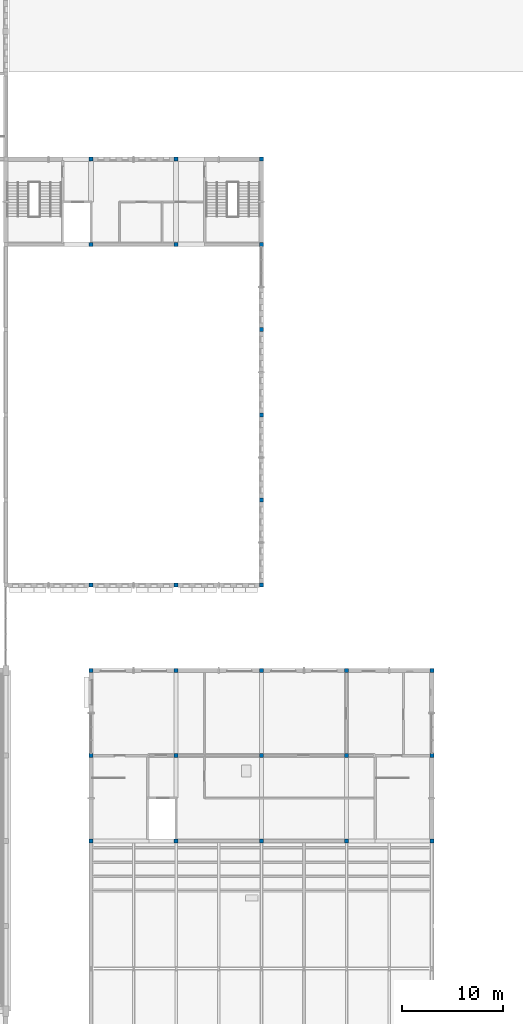
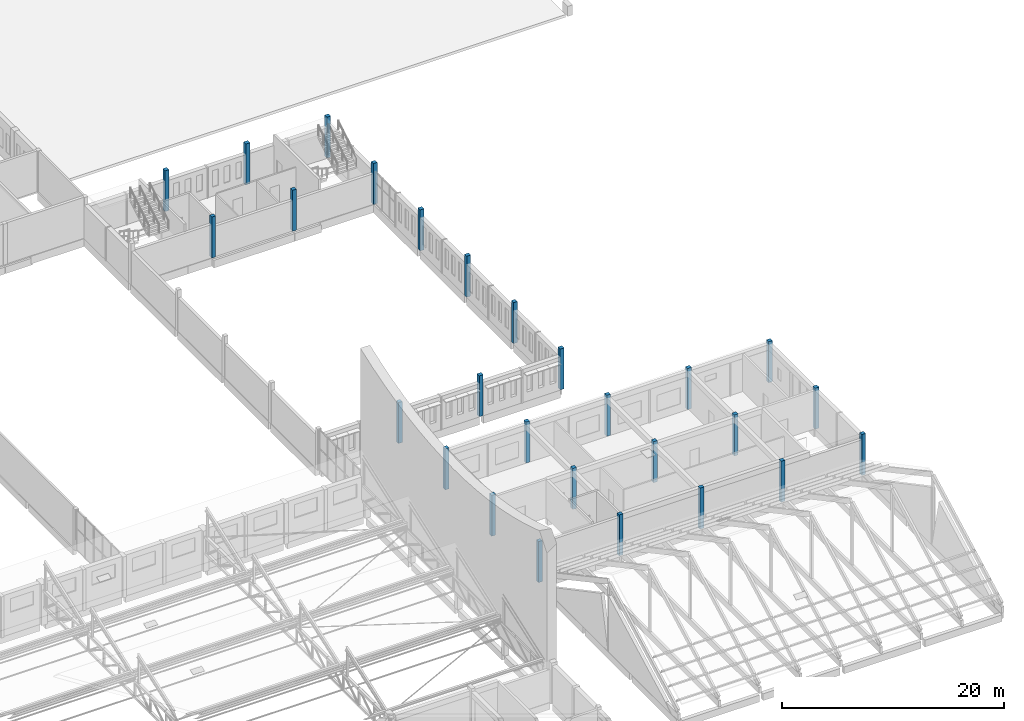
# One storey, part 4 of 101: 27 columns.
"""IFC4 building model written with IfcOpenShell, lengths in metres."""

from ifc_helpers import new_model, si_unit, direction, frame, origin, origin_2d, place, context, subcontext, project, spatial, rectangle, extrude, material, material_profile, profile_set, type_object, element, save


model = new_model("IFC4")

# Units and contexts
model_context = context("Model", 3, precision=1e-05, world=origin(), true_north=direction((0.0, 1.0)))
body_context = subcontext(model_context, "Body", "Model", "MODEL_VIEW")
ifc_project = project(units=[si_unit("LENGTHUNIT", "METRE"), si_unit("AREAUNIT", "SQUARE_METRE"), si_unit("VOLUMEUNIT", "CUBIC_METRE"), si_unit("PLANEANGLEUNIT", "RADIAN"), si_unit("MASSUNIT", "GRAM", prefix="KILO")], contexts=[model_context])

# Site, building, storey
site_placement = place(None, origin())
site = spatial("IfcSite", under=ifc_project, at=site_placement, CompositionType="ELEMENT")
building_placement = place(site_placement, origin())
building = spatial("IfcBuilding", under=site, at=building_placement, Name="Fescue Hill Polytechnic", CompositionType="ELEMENT")
storey_placement = place(building_placement, frame((0.0, 0.0, 9.0)))
storey = spatial("IfcBuildingStorey", under=building, at=storey_placement, Name="L02", CompositionType="ELEMENT", Elevation=9.0)

# Columns
ifc_material = material(Name="Concrete 40 MPa", Category="concrete")
ifc_material_profile = material_profile(ifc_material, rectangle(XDim=0.39990234375, YDim=0.39990234375, at=origin_2d()), Name="RC 400x400")
ifc_profile_set = profile_set([ifc_material_profile], Name="Concrete 40 MPa")
column_type = type_object("IfcColumnType", Name="Column RC 400x400", PredefinedType="COLUMN", material=ifc_profile_set)
for number, where, z_axis, x_axis, name in (
    (1, (126.0, 33.60009765625, 0.0), (0.0, 0.0, 1.0), (1.0, 0.0, 0.0), "COL-L02-V3-001"),
    (2, (126.0, 42.0, 0.0), (0.0, 0.0, 1.0), (1.0, 0.0, 0.0), "COL-L02-V3-002"),
    (3, (126.0, 50.39990234375, 0.0), (0.0, 0.0, 1.0), (1.0, 0.0, 0.0), "COL-L02-V3-003"),
    (4, (134.39990234375, 33.60009765625, 0.0), (0.0, 0.0, 1.0), (1.0, 0.0, 0.0), "COL-L02-V3-004"),
    (5, (134.39990234375, 42.0, 0.0), (0.0, 0.0, 1.0), (1.0, 0.0, 0.0), "COL-L02-V3-005"),
    (6, (134.39990234375, 50.39990234375, 0.0), (0.0, 0.0, 1.0), (1.0, 0.0, 0.0), "COL-L02-V3-006"),
    (7, (142.800048828125, 33.60009765625, 0.0), (0.0, 0.0, 1.0), (1.0, 0.0, 0.0), "COL-L02-V3-007"),
    (8, (142.800048828125, 42.0, 0.0), (0.0, 0.0, 1.0), (1.0, 0.0, 0.0), "COL-L02-V3-008"),
    (9, (142.800048828125, 50.39990234375, 0.0), (0.0, 0.0, 1.0), (1.0, 0.0, 0.0), "COL-L02-V3-009"),
    (10, (151.199951171875, 33.60009765625, 0.0), (0.0, 0.0, 1.0), (1.0, 0.0, 0.0), "COL-L02-V3-010"),
    (11, (151.199951171875, 42.0, 0.0), (0.0, 0.0, 1.0), (1.0, 0.0, 0.0), "COL-L02-V3-011"),
    (12, (151.199951171875, 50.39990234375, 0.0), (0.0, 0.0, 1.0), (1.0, 0.0, 0.0), "COL-L02-V3-012"),
    (13, (159.60009765625, 33.60009765625, 0.0), (0.0, 0.0, 1.0), (1.0, 0.0, 0.0), "COL-L02-V3-013"),
    (14, (159.60009765625, 42.0, 0.0), (0.0, 0.0, 1.0), (1.0, 0.0, 0.0), "COL-L02-V3-014"),
    (15, (159.60009765625, 50.39990234375, 0.0), (0.0, 0.0, 1.0), (1.0, 0.0, 0.0), "COL-L02-V3-015"),
    (16, (126.0, 92.39990234375, 0.0), (0.0, 0.0, 1.0), (1.0, 0.0, 0.0), "COL-L02-V2-003"),
    (17, (126.0, 100.800048828125, 0.0), (0.0, 0.0, 1.0), (1.0, 0.0, 0.0), "COL-L02-V2-004"),
    (18, (134.39990234375, 92.39990234375, 0.0), (0.0, 0.0, 1.0), (1.0, 0.0, 0.0), "COL-L02-V2-005"),
    (19, (134.39990234375, 100.800048828125, 0.0), (0.0, 0.0, 1.0), (1.0, 0.0, 0.0), "COL-L02-V2-006"),
    (20, (142.800048828125, 92.39990234375, 0.0), (0.0, 0.0, 1.0), (1.0, 0.0, 0.0), "COL-L02-V2-007"),
    (21, (142.800048828125, 100.800048828125, 0.0), (0.0, 0.0, 1.0), (1.0, 0.0, 0.0), "COL-L02-V2-008"),
    (22, (126.0, 58.800048828125, 0.0), (0.0, 0.0, 1.0), (1.0, 0.0, 0.0), "COL-L02-V2-010"),
    (23, (134.39990234375, 58.800048828125, 0.0), (0.0, 0.0, 1.0), (1.0, 0.0, 0.0), "COL-L02-V2-011"),
    (24, (142.800048828125, 58.800048828125, 0.0), (0.0, 0.0, 1.0), (1.0, 0.0, 0.0), "COL-L02-V2-012"),
    (25, (142.800048828125, 67.199951171875, 0.0), (0.0, 0.0, 1.0), (1.0, 0.0, 0.0), "COL-L02-V2-013"),
    (26, (142.800048828125, 75.60009765625, 0.0), (0.0, 0.0, 1.0), (1.0, 0.0, 0.0), "COL-L02-V2-014"),
    (27, (142.800048828125, 84.0, 0.0), (0.0, 0.0, 1.0), (1.0, 0.0, 0.0), "COL-L02-V2-015"),
):
    element("IfcColumn", number, at=place(storey_placement, frame(where, z_axis=z_axis, x_axis=x_axis)), inside=storey, type_object=column_type, Name=name, PredefinedType="COLUMN", context=body_context, shape_type="SweptSolid", body=[
        extrude(rectangle(XDim=0.39990234375, YDim=0.39990234375, at=origin_2d()), origin(), (0.0, 0.0, 1.0), 4.5),
    ])

save(model, "model.ifc")
